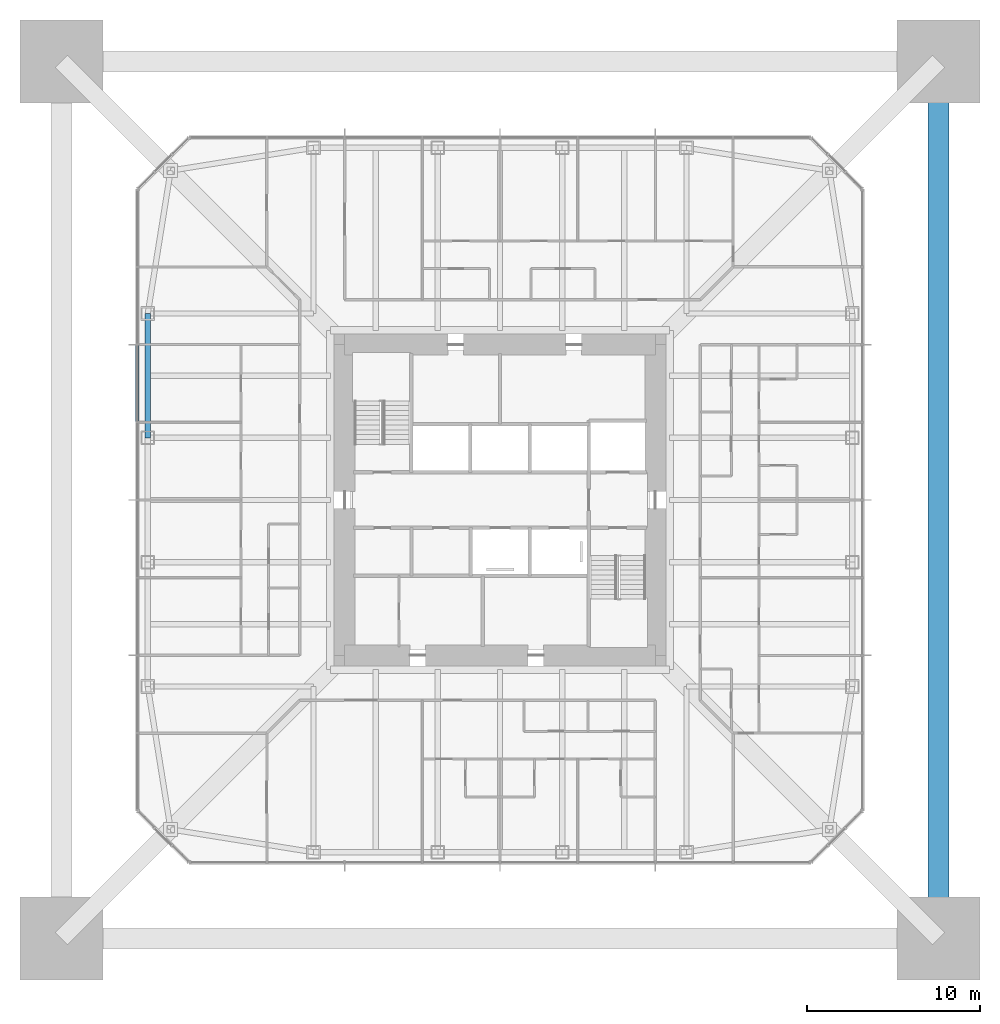
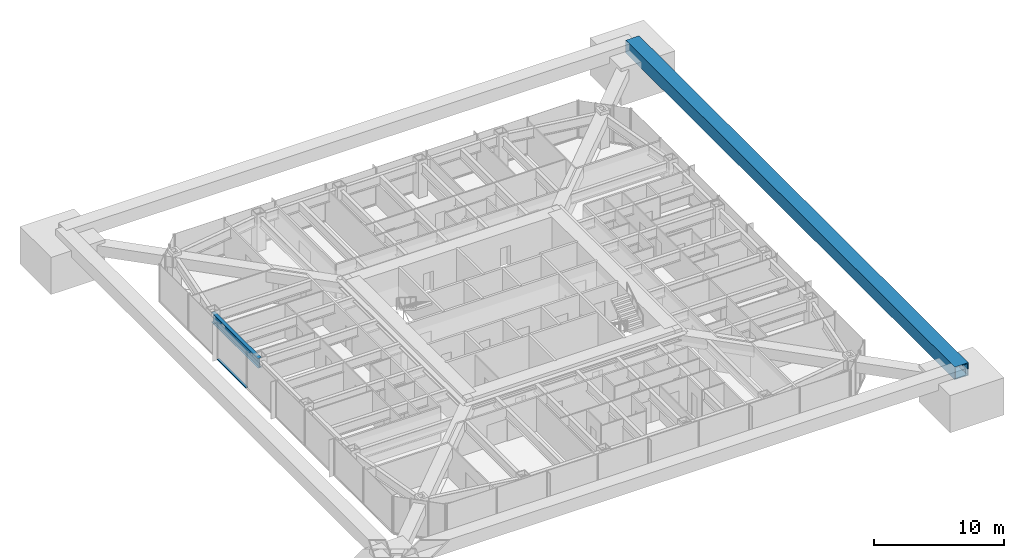
# One storey, part 8 of 20: 2 members, 1 beam, 1 element without a shape of its own.
"""IFC4 building model written with IfcOpenShell, lengths in metres."""

from ifc_helpers import new_model, si_unit, direction, frame, origin, origin_2d, place, context, subcontext, project, spatial, rectangle, hollow_rectangle, i_section, extrude, material, material_profile, profile_set, type_object, element, aggregate, save


model = new_model("IFC4")

# Units and contexts
model_context = context("Model", 3, precision=1e-05, world=origin(), true_north=direction((0.0, 1.0)))
body_context = subcontext(model_context, "Body", "Model", "MODEL_VIEW")
ifc_project = project(units=[si_unit("LENGTHUNIT", "METRE"), si_unit("AREAUNIT", "SQUARE_METRE"), si_unit("VOLUMEUNIT", "CUBIC_METRE"), si_unit("PLANEANGLEUNIT", "RADIAN"), si_unit("MASSUNIT", "GRAM", prefix="KILO")], contexts=[model_context])

# Site, building, storey
site_placement = place(None, origin())
site = spatial("IfcSite", under=ifc_project, at=site_placement, CompositionType="ELEMENT")
building_placement = place(site_placement, origin())
building = spatial("IfcBuilding", under=site, at=building_placement, Name="Iwan Alto Co-Living Towers", CompositionType="ELEMENT")
storey_placement = place(building_placement, frame((0.0, 0.0, 140.0)))
storey = spatial("IfcBuildingStorey", under=building, at=storey_placement, Name="L38", CompositionType="ELEMENT", Elevation=140.0)

# Curtain wall, member
ifc_material_1 = material(Name="Bronze aluminium unitised frame", Category="aluminium")
curtain_wall_type = type_object("IfcCurtainWallType", Name="CURTAIN WALL CW-A", PredefinedType="NOTDEFINED", material=ifc_material_1)
curtain_wall_placement = place(storey_placement, origin())
curtain_wall = element("IfcCurtainWall", 1, at=curtain_wall_placement, inside=storey, type_object=curtain_wall_type, Name="T1 curtain wall W L38", PredefinedType="NOTDEFINED")
ifc_material_2 = material(Name="Aluminium 6063-T6 bronze anodised", Category="aluminium")
ifc_material_profile_1 = material_profile(ifc_material_2, rectangle(XDim=0.199951171875, YDim=0.10009765625, at=origin_2d()), Name="AL 200X100")
ifc_profile_set_1 = profile_set([ifc_material_profile_1], Name="Aluminium 6063-T6 bronze anodised")
member_type_1 = type_object("IfcMemberType", Name="CW-A TRANSOM 200X100", PredefinedType="USERDEFINED", material=ifc_profile_set_1)
member_1_placement = place(storey_placement, frame((-21.0, 8.9599609375, 0.050048828125), z_axis=(0.0, -1.0, 0.0), x_axis=(1.0, 0.0, 0.0)))
member_1 = element("IfcMember", 2, at=member_1_placement, type_object=member_type_1, Name="CW-A transom 3.1", ObjectType="TRANSOM", PredefinedType="USERDEFINED", context=body_context, shape_type="SweptSolid", body=[
    extrude(rectangle(XDim=0.199951171875, YDim=0.10009765625, at=origin_2d()), origin(), (0.0, 0.0, 1.0), 4.419921875),
])
aggregate(curtain_wall, [member_1])

# Beam
ifc_material_3 = material(Name="Steel ASTM A992 Gr 50", Category="steel")
ifc_material_profile_2 = material_profile(ifc_material_3, i_section(OverallWidth=0.307373046875, OverallDepth=0.927001953125, WebThickness=0.01953125, FlangeThickness=0.031982421875, at=origin_2d()), Name="W36X194")
ifc_profile_set_2 = profile_set([ifc_material_profile_2], Name="Steel ASTM A992 Gr 50")
beam_type = type_object("IfcBeamType", Name="T1 BELT TRUSS CHORD W36X194", PredefinedType="BEAM", material=ifc_profile_set_2)
beam_placement = place(storey_placement, frame((-20.39990234375, 10.800048828125, 2.736328125), z_axis=(0.0, -1.0, 0.0), x_axis=(1.0, 0.0, 0.0)))
element("IfcBeam", 3, at=beam_placement, inside=storey, type_object=beam_type, Name="T1 edge beam W1 L39", PredefinedType="BEAM", context=body_context, shape_type="SweptSolid", body=[
    extrude(i_section(OverallWidth=0.307373046875, OverallDepth=0.927001953125, WebThickness=0.01953125, FlangeThickness=0.031982421875, at=origin_2d()), origin(), (0.0, 0.0, 1.0), 7.199951171875),
])

# Member
ifc_material_4 = material(Name="Steel ASTM A572 Gr 50", Category="steel")
ifc_material_profile_3 = material_profile(ifc_material_4, hollow_rectangle(XDim=1.199951171875, YDim=1.199951171875, WallThickness=0.070068359375, at=origin_2d()), Name="BOX 1200X1200X70")
ifc_profile_set_3 = profile_set([ifc_material_profile_3], Name="Steel ASTM A572 Gr 50")
member_type_2 = type_object("IfcMemberType", Name="T1 MEGA BELT TIE BOX 1200X1200X70", PredefinedType="STRUT", material=ifc_profile_set_3)
member_2_placement = place(storey_placement, frame((25.39990234375, -25.39990234375, 3.5), z_axis=(0.0, 1.0, 0.0), x_axis=(-1.0, 0.0, 0.0)))
element("IfcMember", 4, at=member_2_placement, inside=storey, type_object=member_type_2, Name="T1 mega belt tie E L39", PredefinedType="STRUT", context=body_context, shape_type="SweptSolid", body=[
    extrude(hollow_rectangle(XDim=1.199951171875, YDim=1.199951171875, WallThickness=0.070068359375, at=origin_2d()), origin(), (0.0, 0.0, 1.0), 50.7998046875),
])

save(model, "model.ifc")
